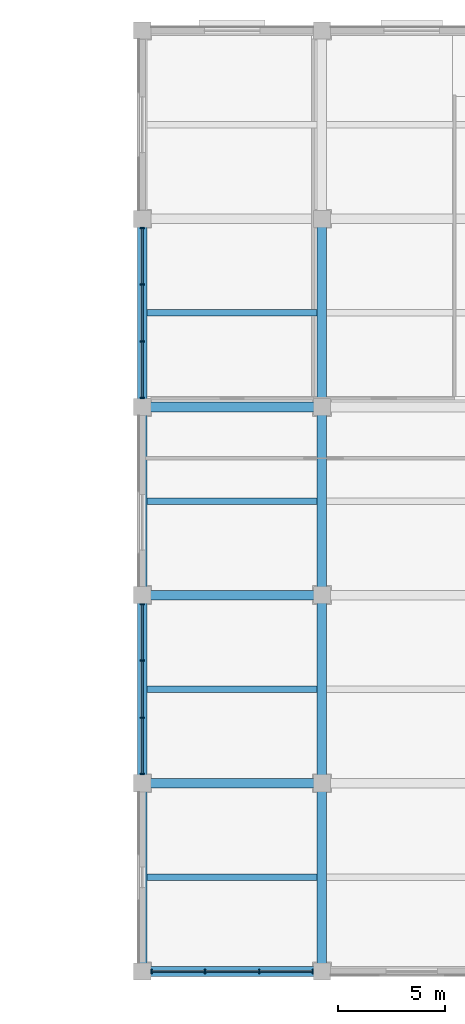
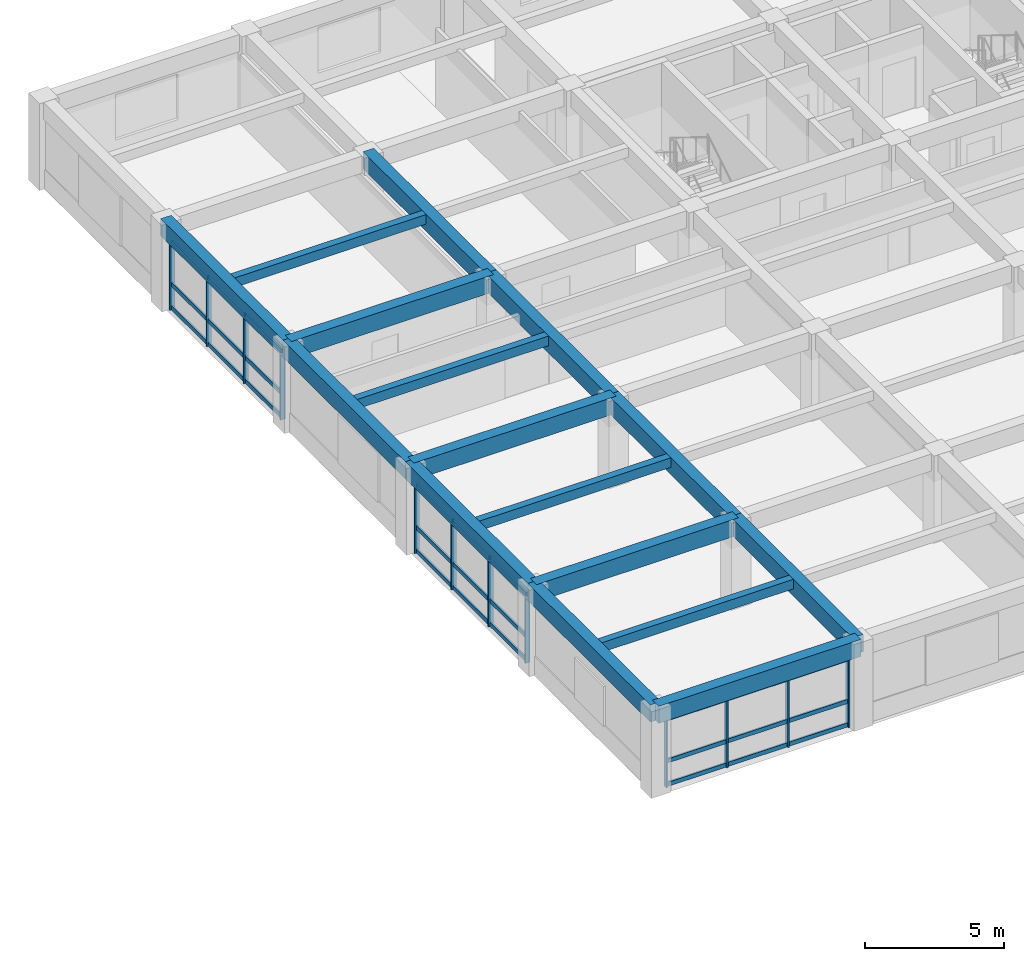
# One storey, part 2 of 16: 39 members, 16 beams, 3 elements without a shape of their own.
"""IFC4 building model written with IfcOpenShell, lengths in metres."""

from ifc_helpers import new_model, si_unit, direction, frame, origin, origin_2d, place, context, subcontext, project, spatial, rectangle, extrude, material, material_profile, profile_set, type_object, element, aggregate, save


model = new_model("IFC4")

# Units and contexts
model_context = context("Model", 3, precision=1e-05, world=origin(), true_north=direction((0.0, 1.0)))
body_context = subcontext(model_context, "Body", "Model", "MODEL_VIEW")
ifc_project = project(units=[si_unit("LENGTHUNIT", "METRE"), si_unit("AREAUNIT", "SQUARE_METRE"), si_unit("VOLUMEUNIT", "CUBIC_METRE"), si_unit("PLANEANGLEUNIT", "RADIAN"), si_unit("MASSUNIT", "GRAM", prefix="KILO")], contexts=[model_context])

# Site, building, storey
site_placement = place(None, origin())
site = spatial("IfcSite", under=ifc_project, at=site_placement, CompositionType="ELEMENT")
building_placement = place(site_placement, origin())
building = spatial("IfcBuilding", under=site, at=building_placement, Name="Kemercrest Conservatory and Botanical Centre", CompositionType="ELEMENT")
storey_placement = place(building_placement, frame((0.0, 0.0, 17.199951171875)))
storey = spatial("IfcBuildingStorey", under=building, at=storey_placement, Name="L04", CompositionType="ELEMENT", Elevation=17.199951171875)

# Beams
ifc_material_1 = material(Name="Concrete C40/50", Category="concrete")
ifc_material_profile_1 = material_profile(ifc_material_1, rectangle(XDim=0.449951171875, YDim=0.75, at=origin_2d()), Name="RC 450x750")
ifc_profile_set_1 = profile_set([ifc_material_profile_1], Name="Concrete C40/50")
beam_type_1 = type_object("IfcBeamType", Name="BM-RC75", PredefinedType="BEAM", material=ifc_profile_set_1)
for number, where, z_axis, x_axis, name in (
    (1, (134.0, 87.199951171875, 3.425048828125), (1.0, 0.0, 0.0), (0.0, 1.0, 0.0), "V4-L05 beam BM-RC75 K/16-17"),
    (2, (134.0, 96.0, 3.425048828125), (1.0, 0.0, 0.0), (0.0, 1.0, 0.0), "V4-L05 beam BM-RC75 L/16-17"),
    (3, (134.0, 104.800048828125, 3.425048828125), (1.0, 0.0, 0.0), (0.0, 1.0, 0.0), "V4-L05 beam BM-RC75 M/16-17"),
):
    element("IfcBeam", number, at=place(storey_placement, frame(where, z_axis=z_axis, x_axis=x_axis)), inside=storey, type_object=beam_type_1, Name=name, PredefinedType="BEAM", context=body_context, shape_type="SweptSolid", body=[
        extrude(rectangle(XDim=0.449951171875, YDim=0.75, at=origin_2d()), origin(), (0.0, 0.0, 1.0), 8.39990234375),
    ])
for number, where, z_axis, x_axis, name in (
    (4, (142.39990234375, 78.39990234375, 3.425048828125), (0.0, 1.0, 0.0), (-1.0, 0.0, 0.0), "V4-L05 beam BM-RC75 17/J-K"),
    (5, (142.39990234375, 87.199951171875, 3.425048828125), (0.0, 1.0, 0.0), (-1.0, 0.0, 0.0), "V4-L05 beam BM-RC75 17/K-L"),
    (6, (142.39990234375, 96.0, 3.425048828125), (0.0, 1.0, 0.0), (-1.0, 0.0, 0.0), "V4-L05 beam BM-RC75 17/L-M"),
    (7, (142.39990234375, 104.800048828125, 3.425048828125), (0.0, 1.0, 0.0), (-1.0, 0.0, 0.0), "V4-L05 beam BM-RC75 17/M-N"),
):
    element("IfcBeam", number, at=place(storey_placement, frame(where, z_axis=z_axis, x_axis=x_axis)), inside=storey, type_object=beam_type_1, Name=name, PredefinedType="BEAM", context=body_context, shape_type="SweptSolid", body=[
        extrude(rectangle(XDim=0.449951171875, YDim=0.75, at=origin_2d()), origin(), (0.0, 0.0, 1.0), 8.800048828125),
    ])

# Curtain wall, members
ifc_material_2 = material(Name="Thermally broken aluminium and triple low-e glazing", Category="aluminium")
curtain_wall_type_1 = type_object("IfcCurtainWallType", Name="CW-09", PredefinedType="USERDEFINED", material=ifc_material_2)
curtain_wall_1_placement = place(storey_placement, origin())
curtain_wall_1 = element("IfcCurtainWall", 8, at=curtain_wall_1_placement, inside=storey, type_object=curtain_wall_type_1, Name="Unitised curtain wall CW-09 (CW:L04:V4-068)", ObjectType="UNITISED CURTAIN WALL", PredefinedType="USERDEFINED")
ifc_material_3 = material(Name="Thermally broken anodized aluminium 6063-T6", Category="aluminium")
ifc_material_profile_2 = material_profile(ifc_material_3, rectangle(XDim=0.199951171875, YDim=0.06494140625, at=origin_2d()), Name="AL MULLION 65x200")
ifc_profile_set_2 = profile_set([ifc_material_profile_2], Name="Thermally broken anodized aluminium 6063-T6")
member_type_1 = type_object("IfcMemberType", Name="CW-M200", PredefinedType="MULLION", material=ifc_profile_set_2)
member_1_placement = place(storey_placement, frame((134.427490234375, 78.39990234375, 0.0), z_axis=(0.0, 0.0, 1.0), x_axis=(0.0, 1.0, 0.0)))
member_1 = element("IfcMember", 9, at=member_1_placement, type_object=member_type_1, Name="CW-09 mullion 1", PredefinedType="MULLION", context=body_context, shape_type="SweptSolid", body=[
    extrude(rectangle(XDim=0.199951171875, YDim=0.06494140625, at=origin_2d()), origin(), (0.0, 0.0, 1.0), 3.054931640625),
])
member_2_placement = place(storey_placement, frame((136.931640625, 78.39990234375, 0.0), z_axis=(0.0, 0.0, 1.0), x_axis=(0.0, 1.0, 0.0)))
member_2 = element("IfcMember", 10, at=member_2_placement, type_object=member_type_1, Name="CW-09 mullion 2", PredefinedType="MULLION", context=body_context, shape_type="SweptSolid", body=[
    extrude(rectangle(XDim=0.199951171875, YDim=0.06494140625, at=origin_2d()), origin(), (0.0, 0.0, 1.0), 3.054931640625),
])
member_3_placement = place(storey_placement, frame((139.46826171875, 78.39990234375, 0.0), z_axis=(0.0, 0.0, 1.0), x_axis=(0.0, 1.0, 0.0)))
member_3 = element("IfcMember", 11, at=member_3_placement, type_object=member_type_1, Name="CW-09 mullion 3", PredefinedType="MULLION", context=body_context, shape_type="SweptSolid", body=[
    extrude(rectangle(XDim=0.199951171875, YDim=0.06494140625, at=origin_2d()), origin(), (0.0, 0.0, 1.0), 3.054931640625),
])
member_4_placement = place(storey_placement, frame((141.972412109375, 78.39990234375, 0.0), z_axis=(0.0, 0.0, 1.0), x_axis=(0.0, 1.0, 0.0)))
member_4 = element("IfcMember", 12, at=member_4_placement, type_object=member_type_1, Name="CW-09 mullion 4", PredefinedType="MULLION", context=body_context, shape_type="SweptSolid", body=[
    extrude(rectangle(XDim=0.199951171875, YDim=0.06494140625, at=origin_2d()), origin(), (0.0, 0.0, 1.0), 3.054931640625),
])

curtain_wall_type_2 = type_object("IfcCurtainWallType", Name="CW-14", PredefinedType="USERDEFINED", material=ifc_material_2)
curtain_wall_2_placement = place(storey_placement, origin())
curtain_wall_2 = element("IfcCurtainWall", 13, at=curtain_wall_2_placement, inside=storey, type_object=curtain_wall_type_2, Name="Unitised curtain wall CW-14 (CW:L04:V4-073)", ObjectType="UNITISED CURTAIN WALL", PredefinedType="USERDEFINED")
member_5_placement = place(storey_placement, frame((134.0, 113.172607421875, 0.0), z_axis=(0.0, 0.0, 1.0), x_axis=(1.0, 0.0, 0.0)))
member_5 = element("IfcMember", 14, at=member_5_placement, type_object=member_type_1, Name="CW-14 mullion 1", PredefinedType="MULLION", context=body_context, shape_type="SweptSolid", body=[
    extrude(rectangle(XDim=0.199951171875, YDim=0.06494140625, at=origin_2d()), origin(), (0.0, 0.0, 1.0), 3.054931640625),
])
member_6_placement = place(storey_placement, frame((134.0, 110.534912109375, 0.0), z_axis=(0.0, 0.0, 1.0), x_axis=(1.0, 0.0, 0.0)))
member_6 = element("IfcMember", 15, at=member_6_placement, type_object=member_type_1, Name="CW-14 mullion 2", PredefinedType="MULLION", context=body_context, shape_type="SweptSolid", body=[
    extrude(rectangle(XDim=0.199951171875, YDim=0.06494140625, at=origin_2d()), origin(), (0.0, 0.0, 1.0), 3.054931640625),
])
member_7_placement = place(storey_placement, frame((134.0, 107.864990234375, 0.0), z_axis=(0.0, 0.0, 1.0), x_axis=(1.0, 0.0, 0.0)))
member_7 = element("IfcMember", 16, at=member_7_placement, type_object=member_type_1, Name="CW-14 mullion 3", PredefinedType="MULLION", context=body_context, shape_type="SweptSolid", body=[
    extrude(rectangle(XDim=0.199951171875, YDim=0.06494140625, at=origin_2d()), origin(), (0.0, 0.0, 1.0), 3.054931640625),
])
member_8_placement = place(storey_placement, frame((134.0, 105.2275390625, 0.0), z_axis=(0.0, 0.0, 1.0), x_axis=(1.0, 0.0, 0.0)))
member_8 = element("IfcMember", 17, at=member_8_placement, type_object=member_type_1, Name="CW-14 mullion 4", PredefinedType="MULLION", context=body_context, shape_type="SweptSolid", body=[
    extrude(rectangle(XDim=0.199951171875, YDim=0.06494140625, at=origin_2d()), origin(), (0.0, 0.0, 1.0), 3.054931640625),
])

curtain_wall_type_3 = type_object("IfcCurtainWallType", Name="CW-15", PredefinedType="USERDEFINED", material=ifc_material_2)
curtain_wall_3_placement = place(storey_placement, origin())
curtain_wall_3 = element("IfcCurtainWall", 18, at=curtain_wall_3_placement, inside=storey, type_object=curtain_wall_type_3, Name="Unitised curtain wall CW-15 (CW:L04:V4-074)", ObjectType="UNITISED CURTAIN WALL", PredefinedType="USERDEFINED")
member_9_placement = place(storey_placement, frame((134.0, 95.572509765625, 0.0), z_axis=(0.0, 0.0, 1.0), x_axis=(1.0, 0.0, 0.0)))
member_9 = element("IfcMember", 19, at=member_9_placement, type_object=member_type_1, Name="CW-15 mullion 1", PredefinedType="MULLION", context=body_context, shape_type="SweptSolid", body=[
    extrude(rectangle(XDim=0.199951171875, YDim=0.06494140625, at=origin_2d()), origin(), (0.0, 0.0, 1.0), 3.054931640625),
])
member_10_placement = place(storey_placement, frame((134.0, 92.93505859375, 0.0), z_axis=(0.0, 0.0, 1.0), x_axis=(1.0, 0.0, 0.0)))
member_10 = element("IfcMember", 20, at=member_10_placement, type_object=member_type_1, Name="CW-15 mullion 2", PredefinedType="MULLION", context=body_context, shape_type="SweptSolid", body=[
    extrude(rectangle(XDim=0.199951171875, YDim=0.06494140625, at=origin_2d()), origin(), (0.0, 0.0, 1.0), 3.054931640625),
])
member_11_placement = place(storey_placement, frame((134.0, 90.264892578125, 0.0), z_axis=(0.0, 0.0, 1.0), x_axis=(1.0, 0.0, 0.0)))
member_11 = element("IfcMember", 21, at=member_11_placement, type_object=member_type_1, Name="CW-15 mullion 3", PredefinedType="MULLION", context=body_context, shape_type="SweptSolid", body=[
    extrude(rectangle(XDim=0.199951171875, YDim=0.06494140625, at=origin_2d()), origin(), (0.0, 0.0, 1.0), 3.054931640625),
])
member_12_placement = place(storey_placement, frame((134.0, 87.62744140625, 0.0), z_axis=(0.0, 0.0, 1.0), x_axis=(1.0, 0.0, 0.0)))
member_12 = element("IfcMember", 22, at=member_12_placement, type_object=member_type_1, Name="CW-15 mullion 4", PredefinedType="MULLION", context=body_context, shape_type="SweptSolid", body=[
    extrude(rectangle(XDim=0.199951171875, YDim=0.06494140625, at=origin_2d()), origin(), (0.0, 0.0, 1.0), 3.054931640625),
])

# Member
ifc_material_profile_3 = material_profile(ifc_material_3, rectangle(XDim=0.074951171875, YDim=0.179931640625, at=origin_2d()), Name="AL TRANSOM 75x180")
ifc_profile_set_3 = profile_set([ifc_material_profile_3], Name="Thermally broken anodized aluminium 6063-T6")
member_type_2 = type_object("IfcMemberType", Name="CW-T180", PredefinedType="USERDEFINED", material=ifc_profile_set_3)
member_13_placement = place(storey_placement, frame((134.4599609375, 78.39990234375, 0.090087890625), z_axis=(1.0, 0.0, 0.0), x_axis=(0.0, 1.0, 0.0)))
member_13 = element("IfcMember", 23, at=member_13_placement, type_object=member_type_2, Name="CW-09 transom 1.1", ObjectType="TRANSOM", PredefinedType="USERDEFINED", context=body_context, shape_type="SweptSolid", body=[
    extrude(rectangle(XDim=0.074951171875, YDim=0.179931640625, at=origin_2d()), origin(), (0.0, 0.0, 1.0), 2.439208984375),
])

member_14_placement = place(storey_placement, frame((134.4599609375, 78.39990234375, 1.1201171875), z_axis=(1.0, 0.0, 0.0), x_axis=(0.0, 1.0, 0.0)))
member_14 = element("IfcMember", 24, at=member_14_placement, type_object=member_type_2, Name="CW-09 transom 1.2", ObjectType="TRANSOM", PredefinedType="USERDEFINED", context=body_context, shape_type="SweptSolid", body=[
    extrude(rectangle(XDim=0.074951171875, YDim=0.179931640625, at=origin_2d()), origin(), (0.0, 0.0, 1.0), 2.439208984375),
])

member_15_placement = place(storey_placement, frame((134.4599609375, 78.39990234375, 2.965087890625), z_axis=(1.0, 0.0, 0.0), x_axis=(0.0, 1.0, 0.0)))
member_15 = element("IfcMember", 25, at=member_15_placement, type_object=member_type_2, Name="CW-09 transom 1.3", ObjectType="TRANSOM", PredefinedType="USERDEFINED", context=body_context, shape_type="SweptSolid", body=[
    extrude(rectangle(XDim=0.074951171875, YDim=0.179931640625, at=origin_2d()), origin(), (0.0, 0.0, 1.0), 2.439208984375),
])

member_16_placement = place(storey_placement, frame((136.964111328125, 78.39990234375, 0.090087890625), z_axis=(1.0, 0.0, 0.0), x_axis=(0.0, 1.0, 0.0)))
member_16 = element("IfcMember", 26, at=member_16_placement, type_object=member_type_2, Name="CW-09 transom 2.1", ObjectType="TRANSOM", PredefinedType="USERDEFINED", context=body_context, shape_type="SweptSolid", body=[
    extrude(rectangle(XDim=0.074951171875, YDim=0.179931640625, at=origin_2d()), origin(), (0.0, 0.0, 1.0), 2.4716796875),
])

member_17_placement = place(storey_placement, frame((136.964111328125, 78.39990234375, 1.1201171875), z_axis=(1.0, 0.0, 0.0), x_axis=(0.0, 1.0, 0.0)))
member_17 = element("IfcMember", 27, at=member_17_placement, type_object=member_type_2, Name="CW-09 transom 2.2", ObjectType="TRANSOM", PredefinedType="USERDEFINED", context=body_context, shape_type="SweptSolid", body=[
    extrude(rectangle(XDim=0.074951171875, YDim=0.179931640625, at=origin_2d()), origin(), (0.0, 0.0, 1.0), 2.4716796875),
])

member_18_placement = place(storey_placement, frame((136.964111328125, 78.39990234375, 2.965087890625), z_axis=(1.0, 0.0, 0.0), x_axis=(0.0, 1.0, 0.0)))
member_18 = element("IfcMember", 28, at=member_18_placement, type_object=member_type_2, Name="CW-09 transom 2.3", ObjectType="TRANSOM", PredefinedType="USERDEFINED", context=body_context, shape_type="SweptSolid", body=[
    extrude(rectangle(XDim=0.074951171875, YDim=0.179931640625, at=origin_2d()), origin(), (0.0, 0.0, 1.0), 2.4716796875),
])

member_19_placement = place(storey_placement, frame((139.500732421875, 78.39990234375, 0.090087890625), z_axis=(1.0, 0.0, 0.0), x_axis=(0.0, 1.0, 0.0)))
member_19 = element("IfcMember", 29, at=member_19_placement, type_object=member_type_2, Name="CW-09 transom 3.1", ObjectType="TRANSOM", PredefinedType="USERDEFINED", context=body_context, shape_type="SweptSolid", body=[
    extrude(rectangle(XDim=0.074951171875, YDim=0.179931640625, at=origin_2d()), origin(), (0.0, 0.0, 1.0), 2.439208984375),
])

member_20_placement = place(storey_placement, frame((139.500732421875, 78.39990234375, 1.1201171875), z_axis=(1.0, 0.0, 0.0), x_axis=(0.0, 1.0, 0.0)))
member_20 = element("IfcMember", 30, at=member_20_placement, type_object=member_type_2, Name="CW-09 transom 3.2", ObjectType="TRANSOM", PredefinedType="USERDEFINED", context=body_context, shape_type="SweptSolid", body=[
    extrude(rectangle(XDim=0.074951171875, YDim=0.179931640625, at=origin_2d()), origin(), (0.0, 0.0, 1.0), 2.439208984375),
])

member_21_placement = place(storey_placement, frame((139.500732421875, 78.39990234375, 2.965087890625), z_axis=(1.0, 0.0, 0.0), x_axis=(0.0, 1.0, 0.0)))
member_21 = element("IfcMember", 31, at=member_21_placement, type_object=member_type_2, Name="CW-09 transom 3.3", ObjectType="TRANSOM", PredefinedType="USERDEFINED", context=body_context, shape_type="SweptSolid", body=[
    extrude(rectangle(XDim=0.074951171875, YDim=0.179931640625, at=origin_2d()), origin(), (0.0, 0.0, 1.0), 2.439208984375),
])

aggregate(curtain_wall_1, [member_1, member_2, member_3, member_4, member_13, member_14, member_15, member_16, member_17, member_18, member_19, member_20, member_21])

member_22_placement = place(storey_placement, frame((134.0, 113.139892578125, 0.090087890625), z_axis=(0.0, -1.0, 0.0), x_axis=(1.0, 0.0, 0.0)))
member_22 = element("IfcMember", 32, at=member_22_placement, type_object=member_type_2, Name="CW-14 transom 1.1", ObjectType="TRANSOM", PredefinedType="USERDEFINED", context=body_context, shape_type="SweptSolid", body=[
    extrude(rectangle(XDim=0.074951171875, YDim=0.179931640625, at=origin_2d()), origin(), (0.0, 0.0, 1.0), 2.572509765625),
])

member_23_placement = place(storey_placement, frame((134.0, 113.139892578125, 1.1201171875), z_axis=(0.0, -1.0, 0.0), x_axis=(1.0, 0.0, 0.0)))
member_23 = element("IfcMember", 33, at=member_23_placement, type_object=member_type_2, Name="CW-14 transom 1.2", ObjectType="TRANSOM", PredefinedType="USERDEFINED", context=body_context, shape_type="SweptSolid", body=[
    extrude(rectangle(XDim=0.074951171875, YDim=0.179931640625, at=origin_2d()), origin(), (0.0, 0.0, 1.0), 2.572509765625),
])

member_24_placement = place(storey_placement, frame((134.0, 113.139892578125, 2.965087890625), z_axis=(0.0, -1.0, 0.0), x_axis=(1.0, 0.0, 0.0)))
member_24 = element("IfcMember", 34, at=member_24_placement, type_object=member_type_2, Name="CW-14 transom 1.3", ObjectType="TRANSOM", PredefinedType="USERDEFINED", context=body_context, shape_type="SweptSolid", body=[
    extrude(rectangle(XDim=0.074951171875, YDim=0.179931640625, at=origin_2d()), origin(), (0.0, 0.0, 1.0), 2.572509765625),
])

member_25_placement = place(storey_placement, frame((134.0, 110.50244140625, 0.090087890625), z_axis=(0.0, -1.0, 0.0), x_axis=(1.0, 0.0, 0.0)))
member_25 = element("IfcMember", 35, at=member_25_placement, type_object=member_type_2, Name="CW-14 transom 2.1", ObjectType="TRANSOM", PredefinedType="USERDEFINED", context=body_context, shape_type="SweptSolid", body=[
    extrude(rectangle(XDim=0.074951171875, YDim=0.179931640625, at=origin_2d()), origin(), (0.0, 0.0, 1.0), 2.60498046875),
])

member_26_placement = place(storey_placement, frame((134.0, 110.50244140625, 1.1201171875), z_axis=(0.0, -1.0, 0.0), x_axis=(1.0, 0.0, 0.0)))
member_26 = element("IfcMember", 36, at=member_26_placement, type_object=member_type_2, Name="CW-14 transom 2.2", ObjectType="TRANSOM", PredefinedType="USERDEFINED", context=body_context, shape_type="SweptSolid", body=[
    extrude(rectangle(XDim=0.074951171875, YDim=0.179931640625, at=origin_2d()), origin(), (0.0, 0.0, 1.0), 2.60498046875),
])

member_27_placement = place(storey_placement, frame((134.0, 110.50244140625, 2.965087890625), z_axis=(0.0, -1.0, 0.0), x_axis=(1.0, 0.0, 0.0)))
member_27 = element("IfcMember", 37, at=member_27_placement, type_object=member_type_2, Name="CW-14 transom 2.3", ObjectType="TRANSOM", PredefinedType="USERDEFINED", context=body_context, shape_type="SweptSolid", body=[
    extrude(rectangle(XDim=0.074951171875, YDim=0.179931640625, at=origin_2d()), origin(), (0.0, 0.0, 1.0), 2.60498046875),
])

member_28_placement = place(storey_placement, frame((134.0, 107.83251953125, 0.090087890625), z_axis=(0.0, -1.0, 0.0), x_axis=(1.0, 0.0, 0.0)))
member_28 = element("IfcMember", 38, at=member_28_placement, type_object=member_type_2, Name="CW-14 transom 3.1", ObjectType="TRANSOM", PredefinedType="USERDEFINED", context=body_context, shape_type="SweptSolid", body=[
    extrude(rectangle(XDim=0.074951171875, YDim=0.179931640625, at=origin_2d()), origin(), (0.0, 0.0, 1.0), 2.572509765625),
])

member_29_placement = place(storey_placement, frame((134.0, 107.83251953125, 1.1201171875), z_axis=(0.0, -1.0, 0.0), x_axis=(1.0, 0.0, 0.0)))
member_29 = element("IfcMember", 39, at=member_29_placement, type_object=member_type_2, Name="CW-14 transom 3.2", ObjectType="TRANSOM", PredefinedType="USERDEFINED", context=body_context, shape_type="SweptSolid", body=[
    extrude(rectangle(XDim=0.074951171875, YDim=0.179931640625, at=origin_2d()), origin(), (0.0, 0.0, 1.0), 2.572509765625),
])

member_30_placement = place(storey_placement, frame((134.0, 107.83251953125, 2.965087890625), z_axis=(0.0, -1.0, 0.0), x_axis=(1.0, 0.0, 0.0)))
member_30 = element("IfcMember", 40, at=member_30_placement, type_object=member_type_2, Name="CW-14 transom 3.3", ObjectType="TRANSOM", PredefinedType="USERDEFINED", context=body_context, shape_type="SweptSolid", body=[
    extrude(rectangle(XDim=0.074951171875, YDim=0.179931640625, at=origin_2d()), origin(), (0.0, 0.0, 1.0), 2.572509765625),
])

aggregate(curtain_wall_2, [member_5, member_6, member_7, member_8, member_22, member_23, member_24, member_25, member_26, member_27, member_28, member_29, member_30])

member_31_placement = place(storey_placement, frame((134.0, 95.5400390625, 0.090087890625), z_axis=(0.0, -1.0, 0.0), x_axis=(1.0, 0.0, 0.0)))
member_31 = element("IfcMember", 41, at=member_31_placement, type_object=member_type_2, Name="CW-15 transom 1.1", ObjectType="TRANSOM", PredefinedType="USERDEFINED", context=body_context, shape_type="SweptSolid", body=[
    extrude(rectangle(XDim=0.074951171875, YDim=0.179931640625, at=origin_2d()), origin(), (0.0, 0.0, 1.0), 2.572509765625),
])

member_32_placement = place(storey_placement, frame((134.0, 95.5400390625, 1.1201171875), z_axis=(0.0, -1.0, 0.0), x_axis=(1.0, 0.0, 0.0)))
member_32 = element("IfcMember", 42, at=member_32_placement, type_object=member_type_2, Name="CW-15 transom 1.2", ObjectType="TRANSOM", PredefinedType="USERDEFINED", context=body_context, shape_type="SweptSolid", body=[
    extrude(rectangle(XDim=0.074951171875, YDim=0.179931640625, at=origin_2d()), origin(), (0.0, 0.0, 1.0), 2.572509765625),
])

member_33_placement = place(storey_placement, frame((134.0, 95.5400390625, 2.965087890625), z_axis=(0.0, -1.0, 0.0), x_axis=(1.0, 0.0, 0.0)))
member_33 = element("IfcMember", 43, at=member_33_placement, type_object=member_type_2, Name="CW-15 transom 1.3", ObjectType="TRANSOM", PredefinedType="USERDEFINED", context=body_context, shape_type="SweptSolid", body=[
    extrude(rectangle(XDim=0.074951171875, YDim=0.179931640625, at=origin_2d()), origin(), (0.0, 0.0, 1.0), 2.572509765625),
])

member_34_placement = place(storey_placement, frame((134.0, 92.902587890625, 0.090087890625), z_axis=(0.0, -1.0, 0.0), x_axis=(1.0, 0.0, 0.0)))
member_34 = element("IfcMember", 44, at=member_34_placement, type_object=member_type_2, Name="CW-15 transom 2.1", ObjectType="TRANSOM", PredefinedType="USERDEFINED", context=body_context, shape_type="SweptSolid", body=[
    extrude(rectangle(XDim=0.074951171875, YDim=0.179931640625, at=origin_2d()), origin(), (0.0, 0.0, 1.0), 2.60498046875),
])

member_35_placement = place(storey_placement, frame((134.0, 92.902587890625, 1.1201171875), z_axis=(0.0, -1.0, 0.0), x_axis=(1.0, 0.0, 0.0)))
member_35 = element("IfcMember", 45, at=member_35_placement, type_object=member_type_2, Name="CW-15 transom 2.2", ObjectType="TRANSOM", PredefinedType="USERDEFINED", context=body_context, shape_type="SweptSolid", body=[
    extrude(rectangle(XDim=0.074951171875, YDim=0.179931640625, at=origin_2d()), origin(), (0.0, 0.0, 1.0), 2.60498046875),
])

member_36_placement = place(storey_placement, frame((134.0, 92.902587890625, 2.965087890625), z_axis=(0.0, -1.0, 0.0), x_axis=(1.0, 0.0, 0.0)))
member_36 = element("IfcMember", 46, at=member_36_placement, type_object=member_type_2, Name="CW-15 transom 2.3", ObjectType="TRANSOM", PredefinedType="USERDEFINED", context=body_context, shape_type="SweptSolid", body=[
    extrude(rectangle(XDim=0.074951171875, YDim=0.179931640625, at=origin_2d()), origin(), (0.0, 0.0, 1.0), 2.60498046875),
])

member_37_placement = place(storey_placement, frame((134.0, 90.232421875, 0.090087890625), z_axis=(0.0, -1.0, 0.0), x_axis=(1.0, 0.0, 0.0)))
member_37 = element("IfcMember", 47, at=member_37_placement, type_object=member_type_2, Name="CW-15 transom 3.1", ObjectType="TRANSOM", PredefinedType="USERDEFINED", context=body_context, shape_type="SweptSolid", body=[
    extrude(rectangle(XDim=0.074951171875, YDim=0.179931640625, at=origin_2d()), origin(), (0.0, 0.0, 1.0), 2.572509765625),
])

member_38_placement = place(storey_placement, frame((134.0, 90.232421875, 1.1201171875), z_axis=(0.0, -1.0, 0.0), x_axis=(1.0, 0.0, 0.0)))
member_38 = element("IfcMember", 48, at=member_38_placement, type_object=member_type_2, Name="CW-15 transom 3.2", ObjectType="TRANSOM", PredefinedType="USERDEFINED", context=body_context, shape_type="SweptSolid", body=[
    extrude(rectangle(XDim=0.074951171875, YDim=0.179931640625, at=origin_2d()), origin(), (0.0, 0.0, 1.0), 2.572509765625),
])

member_39_placement = place(storey_placement, frame((134.0, 90.232421875, 2.965087890625), z_axis=(0.0, -1.0, 0.0), x_axis=(1.0, 0.0, 0.0)))
member_39 = element("IfcMember", 49, at=member_39_placement, type_object=member_type_2, Name="CW-15 transom 3.3", ObjectType="TRANSOM", PredefinedType="USERDEFINED", context=body_context, shape_type="SweptSolid", body=[
    extrude(rectangle(XDim=0.074951171875, YDim=0.179931640625, at=origin_2d()), origin(), (0.0, 0.0, 1.0), 2.572509765625),
])

aggregate(curtain_wall_3, [member_9, member_10, member_11, member_12, member_31, member_32, member_33, member_34, member_35, member_36, member_37, member_38, member_39])

# Beams
ifc_material_profile_4 = material_profile(ifc_material_1, rectangle(XDim=0.300048828125, YDim=0.419921875, at=origin_2d()), Name="RC 300x420")
ifc_profile_set_4 = profile_set([ifc_material_profile_4], Name="Concrete C40/50")
beam_type_2 = type_object("IfcBeamType", Name="JS-RC42", PredefinedType="JOIST", material=ifc_profile_set_4)
for number, where, z_axis, x_axis, name in (
    (50, (134.22509765625, 82.800048828125, 3.590087890625), (1.0, 0.0, 0.0), (0.0, 1.0, 0.0), "V4-L05 secondary joist JS-RC42"),
    (51, (134.22509765625, 91.60009765625, 3.590087890625), (1.0, 0.0, 0.0), (0.0, 1.0, 0.0), "V4-L05 secondary joist JS-RC42"),
    (52, (134.22509765625, 100.39990234375, 3.590087890625), (1.0, 0.0, 0.0), (0.0, 1.0, 0.0), "V4-L05 secondary joist JS-RC42"),
    (53, (134.22509765625, 109.199951171875, 3.590087890625), (1.0, 0.0, 0.0), (0.0, 1.0, 0.0), "V4-L05 secondary joist JS-RC42"),
):
    element("IfcBeam", number, at=place(storey_placement, frame(where, z_axis=z_axis, x_axis=x_axis)), inside=storey, type_object=beam_type_2, Name=name, PredefinedType="JOIST", context=body_context, shape_type="SweptSolid", body=[
        extrude(rectangle(XDim=0.300048828125, YDim=0.419921875, at=origin_2d()), origin(), (0.0, 0.0, 1.0), 7.949951171875),
    ])
ifc_material_profile_5 = material_profile(ifc_material_1, rectangle(XDim=0.449951171875, YDim=0.75, at=origin_2d()), Name="RC 450x750")
ifc_profile_set_5 = profile_set([ifc_material_profile_5], Name="Concrete C40/50")
beam_type_3 = type_object("IfcBeamType", Name="SP-RC75", PredefinedType="SPANDREL", material=ifc_profile_set_5)
beam_placement = place(storey_placement, frame((134.0, 78.39990234375, 3.425048828125), z_axis=(1.0, 0.0, 0.0), x_axis=(0.0, 1.0, 0.0)))
element("IfcBeam", 54, at=beam_placement, inside=storey, type_object=beam_type_3, Name="V4-L05 beam SP-RC75 J/16-17", PredefinedType="SPANDREL", context=body_context, shape_type="SweptSolid", body=[
    extrude(rectangle(XDim=0.449951171875, YDim=0.75, at=origin_2d()), origin(), (0.0, 0.0, 1.0), 8.39990234375),
])
for number, where, z_axis, x_axis, name in (
    (55, (134.0, 78.39990234375, 3.425048828125), (0.0, 1.0, 0.0), (-1.0, 0.0, 0.0), "V4-L05 beam SP-RC75 16/J-K"),
    (56, (134.0, 87.199951171875, 3.425048828125), (0.0, 1.0, 0.0), (-1.0, 0.0, 0.0), "V4-L05 beam SP-RC75 16/K-L"),
    (57, (134.0, 96.0, 3.425048828125), (0.0, 1.0, 0.0), (-1.0, 0.0, 0.0), "V4-L05 beam SP-RC75 16/L-M"),
    (58, (134.0, 104.800048828125, 3.425048828125), (0.0, 1.0, 0.0), (-1.0, 0.0, 0.0), "V4-L05 beam SP-RC75 16/M-N"),
):
    element("IfcBeam", number, at=place(storey_placement, frame(where, z_axis=z_axis, x_axis=x_axis)), inside=storey, type_object=beam_type_3, Name=name, PredefinedType="SPANDREL", context=body_context, shape_type="SweptSolid", body=[
        extrude(rectangle(XDim=0.449951171875, YDim=0.75, at=origin_2d()), origin(), (0.0, 0.0, 1.0), 8.800048828125),
    ])

save(model, "model.ifc")
